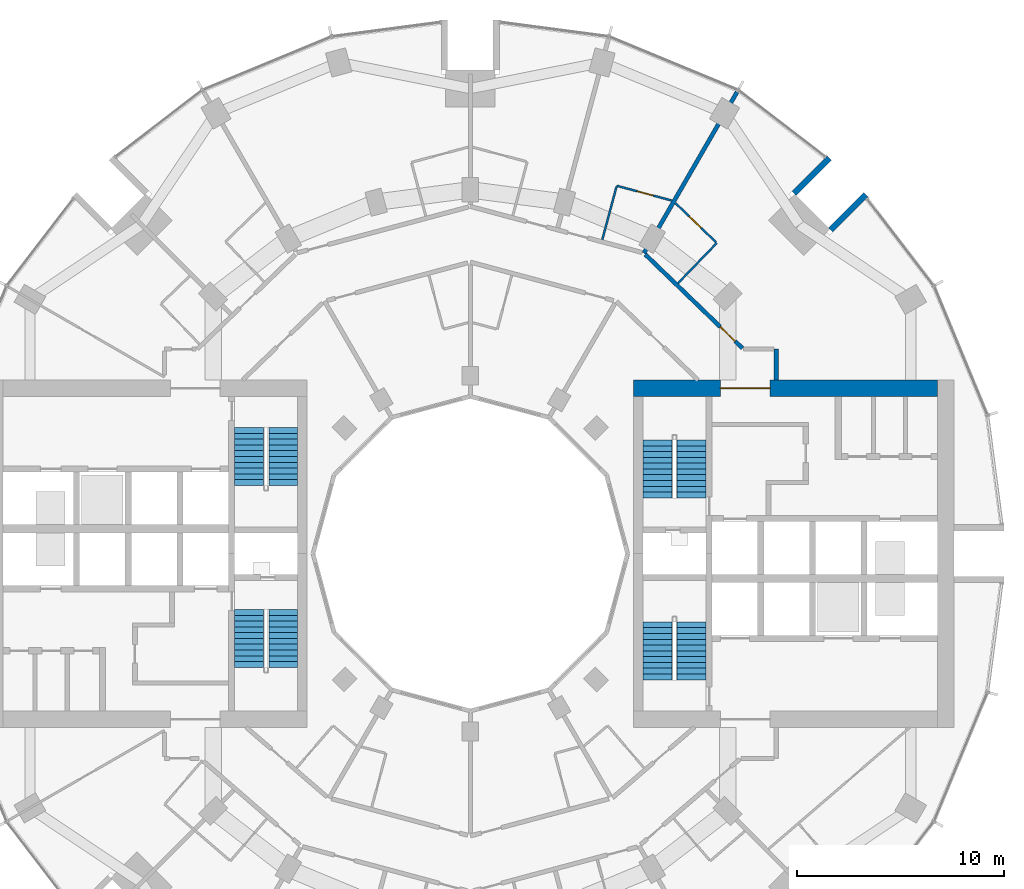
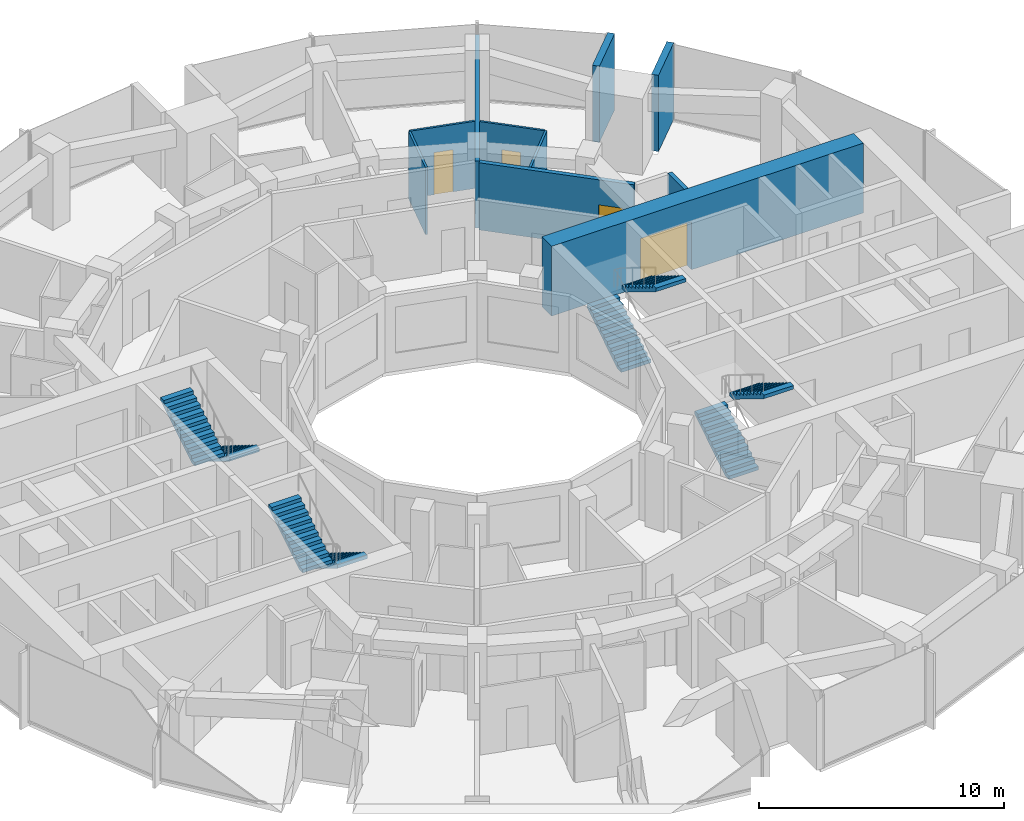
# One storey, part 13 of 15: 10 walls, 8 stair flights, 4 doors, 4 openings, 4 elements without a shape of their own.
"""IFC4 building model written with IfcOpenShell, lengths in metres."""

from ifc_helpers import new_model, si_unit, direction, frame, frame_2d, origin, place, context, subcontext, project, spatial, polyline, rectangle, outline, extrude, material, layer, layer_set, type_object, element, fill, aggregate, save


model = new_model("IFC4")

# Units and contexts
model_context = context("Model", 3, precision=1e-05, world=origin(), true_north=direction((0.0, 1.0)))
body_context = subcontext(model_context, "Body", "Model", "MODEL_VIEW")
ifc_project = project(units=[si_unit("LENGTHUNIT", "METRE"), si_unit("AREAUNIT", "SQUARE_METRE"), si_unit("VOLUMEUNIT", "CUBIC_METRE"), si_unit("PLANEANGLEUNIT", "RADIAN"), si_unit("MASSUNIT", "GRAM", prefix="KILO")], contexts=[model_context])

# Site, building, storey
site_placement = place(None, origin())
site = spatial("IfcSite", under=ifc_project, at=site_placement, CompositionType="ELEMENT")
building_placement = place(site_placement, origin())
building = spatial("IfcBuilding", under=site, at=building_placement, Name="Torre Brocal", CompositionType="ELEMENT")
storey_placement = place(building_placement, frame((0.0, 0.0, 55.39990234375)))
storey = spatial("IfcBuildingStorey", under=building, at=storey_placement, Name="L12", CompositionType="ELEMENT", Elevation=55.39990234375)

# Wall, opening, door
ifc_material_1 = material(Name="Concrete C80", Category="concrete")
ifc_layer_1 = layer(ifc_material_1, 0.800048828125)
ifc_layer_set_1 = layer_set([ifc_layer_1], Name="Concrete C80")
wall_type_1 = type_object("IfcWallType", Name="CORE WALL 800 C80", PredefinedType="SHEAR", material=ifc_layer_set_1)
wall_1_placement = place(storey_placement, frame((87.89990234375, 83.0, 0.0), z_axis=(0.0, 0.0, 1.0), x_axis=(1.0, 0.0, 0.0)))
wall_1 = element("IfcWall", 1, at=wall_1_placement, inside=storey, type_object=wall_type_1, Name="Wall CW800-80", PredefinedType="SHEAR", context=body_context, shape_type="SweptSolid", body=[
    extrude(rectangle(XDim=14.7001953125, YDim=0.800048828125, at=frame_2d((7.35009765625, 0.0))), origin(), (0.0, 0.0, 1.0), 3.47998046875),
])
opening_1_placement = place(wall_1_placement, frame((4.199951171875, 0.0, 0.0)))
opening_1 = element("IfcOpeningElement", 2, at=opening_1_placement, cuts=wall_1, Name="Opening E-D27", PredefinedType="OPENING", context=body_context, shape_type="SweptSolid", body=[
    extrude(rectangle(XDim=2.39990234375, YDim=2.39990234375, at=frame_2d((1.199951171875, 1.199951171875))), frame((0.0, 0.409912109375, 0.0), z_axis=(0.0, -1.0, 0.0), x_axis=(1.0, 0.0, 0.0)), (0.0, 0.0, 1.0), 0.820068359375),
])
ifc_material_2 = material(Name="Steel A653", Category="steel")
door_type_1 = type_object("IfcDoorType", Name="DOUBLE FIRE DOOR FD90 2400X2400", OperationType="DOUBLE_DOOR_SINGLE_SWING", PredefinedType="DOOR", material=ifc_material_2)
door_1_placement = place(opening_1_placement, frame((2.39990234375, 0.0, 0.0), z_axis=(0.0, 0.0, 1.0), x_axis=(-1.0, 0.0, 0.0)))
door_1 = element("IfcDoor", 3, at=door_1_placement, inside=storey, type_object=door_type_1, Name="Door E-D27", OperationType="DOUBLE_DOOR_SINGLE_SWING", OverallHeight=2.39990234375, OverallWidth=2.39990234375, PredefinedType="DOOR", context=body_context, shape_type="SweptSolid", body=[
    extrude(rectangle(XDim=2.39990234375, YDim=2.39990234375, at=frame_2d((1.199951171875, 1.199951171875))), frame((0.0, 0.02490234375, 0.0), z_axis=(0.0, -1.0, 0.0), x_axis=(1.0, 0.0, 0.0)), (0.0, 0.0, 1.0), 0.050048828125),
])
fill(opening_1, door_1)

# Walls
ifc_material_3 = material(Name="Concrete C80", Category="concrete")
ifc_layer_2 = layer(ifc_material_3, 0.300048828125)
ifc_layer_set_2 = layer_set([ifc_layer_2], Name="Concrete C80")
wall_type_2 = type_object("IfcWallType", Name="NOTCH RETURN WALL 300 C80", PredefinedType="NOTDEFINED", material=ifc_layer_set_2)
for number, where, z_axis, x_axis, name in (
    (4, (97.43017578125, 90.662353515625, 0.0), (0.0, 0.0, 1.0), (0.707106781187, 0.707106781187, 0.0), "NOTCH RETURN WALL"),
    (5, (95.662353515625, 92.43017578125, 0.0), (0.0, 0.0, 1.0), (0.707106781187, 0.707106781187, 0.0), "NOTCH RETURN WALL"),
):
    element("IfcWall", number, at=place(storey_placement, frame(where, z_axis=z_axis, x_axis=x_axis)), inside=storey, type_object=wall_type_2, Name=name, PredefinedType="NOTDEFINED", context=body_context, shape_type="SweptSolid", body=[
        extrude(rectangle(XDim=2.415771484375, YDim=0.300048828125, at=frame_2d((1.2080078125, 0.0))), origin(), (0.0, 0.0, 1.0), 3.800048828125),
    ])
ifc_material_4 = material(Name="Gypsum board", Category="Gypsum")
ifc_layer_3 = layer(ifc_material_4, 0.10009765625)
ifc_layer_set_3 = layer_set([ifc_layer_3], Name="Gypsum board")
wall_type_3 = type_object("IfcWallType", Name="PARTITION 100", PredefinedType="PARTITIONING", material=ifc_layer_set_3)
wall_2_placement = place(storey_placement, frame((86.3837890625, 90.189697265625, 0.0), z_axis=(0.0, 0.0, 1.0), x_axis=(0.258677737588, 0.965963678446, 0.0)))
element("IfcWall", 6, at=wall_2_placement, inside=storey, type_object=wall_type_3, Name="BATHROOM WALL", PredefinedType="PARTITIONING", context=body_context, shape_type="SweptSolid", body=[
    extrude(rectangle(XDim=2.649169921875, YDim=0.10009765625, at=frame_2d((1.32470703125, 0.0))), origin(), (0.0, 0.0, 1.0), 3.35009765625),
])

# Wall, opening, door
wall_3_placement = place(storey_placement, frame((87.081787109375, 92.796875, 0.0), z_axis=(0.0, 0.0, 1.0), x_axis=(0.965892621415, -0.258942935598, 0.0)))
wall_3 = element("IfcWall", 7, at=wall_3_placement, inside=storey, type_object=wall_type_3, Name="BATHROOM WALL", PredefinedType="PARTITIONING", context=body_context, shape_type="SweptSolid", body=[
    extrude(rectangle(XDim=2.753173828125, YDim=0.10009765625, at=frame_2d((1.37646484375, 0.0))), origin(), (0.0, 0.0, 1.0), 3.35009765625),
])
opening_2_placement = place(wall_3_placement, frame((1.03173828125, 0.0, 0.0)))
opening_2 = element("IfcOpeningElement", 8, at=opening_2_placement, cuts=wall_3, Name="Opening H03-D04", PredefinedType="OPENING", context=body_context, shape_type="SweptSolid", body=[
    extrude(rectangle(XDim=0.800048828125, YDim=2.10009765625, at=frame_2d((0.39990234375, 1.050048828125))), frame((0.0, 0.06005859375, 0.0), z_axis=(0.0, -1.0, 0.0), x_axis=(1.0, 0.0, 0.0)), (0.0, 0.0, 1.0), 0.1201171875),
])
ifc_material_5 = material(Name="Timber", Category="wood")
door_type_2 = type_object("IfcDoorType", Name="BATHROOM DOOR 800X2100", OperationType="SINGLE_SWING_LEFT", PredefinedType="DOOR", material=ifc_material_5)
door_2_placement = place(opening_2_placement, frame((0.800048828125, 0.0, 0.0), z_axis=(0.0, 0.0, 1.0), x_axis=(-1.0, 0.0, 0.0)))
door_2 = element("IfcDoor", 9, at=door_2_placement, inside=storey, type_object=door_type_2, Name="H03-D04", OperationType="SINGLE_SWING_LEFT", OverallHeight=2.10009765625, OverallWidth=0.800048828125, PredefinedType="DOOR", context=body_context, shape_type="SweptSolid", body=[
    extrude(rectangle(XDim=0.800048828125, YDim=2.10009765625, at=frame_2d((0.39990234375, 1.050048828125))), frame((0.0, 0.02490234375, 0.0), z_axis=(0.0, -1.0, 0.0), x_axis=(1.0, 0.0, 0.0)), (0.0, 0.0, 1.0), 0.050048828125),
])
fill(opening_2, door_2)

wall_4_placement = place(storey_placement, frame((89.9248046875, 91.956298828125, 0.0), z_axis=(0.0, 0.0, 1.0), x_axis=(0.719395291255, -0.694600903339, 0.0)))
wall_4 = element("IfcWall", 10, at=wall_4_placement, inside=storey, type_object=wall_type_3, Name="BATHROOM WALL", PredefinedType="PARTITIONING", context=body_context, shape_type="SweptSolid", body=[
    extrude(rectangle(XDim=2.7275390625, YDim=0.10009765625, at=frame_2d((1.36376953125, 0.0))), origin(), (0.0, 0.0, 1.0), 3.35009765625),
])
opening_3_placement = place(wall_4_placement, frame((0.928466796875, 0.0, 0.0)))
opening_3 = element("IfcOpeningElement", 11, at=opening_3_placement, cuts=wall_4, Name="Opening H03-D02", PredefinedType="OPENING", context=body_context, shape_type="SweptSolid", body=[
    extrude(rectangle(XDim=0.800048828125, YDim=2.10009765625, at=frame_2d((0.39990234375, 1.050048828125))), frame((0.0, 0.06005859375, 0.0), z_axis=(0.0, -1.0, 0.0), x_axis=(1.0, 0.0, 0.0)), (0.0, 0.0, 1.0), 0.1201171875),
])
door_3_placement = place(opening_3_placement, frame((0.800048828125, 0.0, 0.0), z_axis=(0.0, 0.0, 1.0), x_axis=(-1.0, 0.0, 0.0)))
door_3 = element("IfcDoor", 12, at=door_3_placement, inside=storey, type_object=door_type_2, Name="H03-D02", OperationType="SINGLE_SWING_RIGHT", OverallHeight=2.10009765625, OverallWidth=0.800048828125, PredefinedType="DOOR", context=body_context, shape_type="SweptSolid", body=[
    extrude(rectangle(XDim=0.800048828125, YDim=2.10009765625, at=frame_2d((0.39990234375, 1.050048828125))), frame((0.0, 0.02490234375, 0.0), z_axis=(0.0, -1.0, 0.0), x_axis=(1.0, 0.0, 0.0)), (0.0, 0.0, 1.0), 0.050048828125),
])
fill(opening_3, door_3)

# Wall
wall_5_placement = place(storey_placement, frame((90.047607421875, 88.0849609375, 0.0), z_axis=(0.0, 0.0, 1.0), x_axis=(0.694655834207, 0.71934224956, 0.0)))
element("IfcWall", 13, at=wall_5_placement, inside=storey, type_object=wall_type_3, Name="BATHROOM WALL", PredefinedType="PARTITIONING", context=body_context, shape_type="SweptSolid", body=[
    extrude(rectangle(XDim=2.699951171875, YDim=0.10009765625, at=frame_2d((1.35009765625, 0.0))), origin(), (0.0, 0.0, 1.0), 3.35009765625),
])

# Wall, opening, door
ifc_material_6 = material(Name="Gypsum board", Category="Gypsum")
ifc_layer_4 = layer(ifc_material_6, 0.199951171875)
ifc_layer_set_4 = layer_set([ifc_layer_4], Name="Gypsum board")
wall_type_4 = type_object("IfcWallType", Name="PARTITION 200 EI60", PredefinedType="PARTITIONING", material=ifc_layer_set_4)
wall_6_placement = place(storey_placement, frame((88.4658203125, 89.47314453125, 0.0), z_axis=(0.0, 0.0, 1.0), x_axis=(0.719346014649, -0.694651935295, 0.0)))
wall_6 = element("IfcWall", 14, at=wall_6_placement, inside=storey, type_object=wall_type_4, Name="GUESTROOM CORRIDOR WALL", PredefinedType="PARTITIONING", context=body_context, shape_type="SweptSolid", body=[
    extrude(rectangle(XDim=6.525146484375, YDim=0.199951171875, at=frame_2d((3.2626953125, 0.0))), origin(), (0.0, 0.0, 1.0), 3.35009765625),
])
opening_4_placement = place(wall_6_placement, frame((5.034423828125, 0.0, 0.0)))
opening_4 = element("IfcOpeningElement", 15, at=opening_4_placement, cuts=wall_6, Name="Opening H03-D01", PredefinedType="OPENING", context=body_context, shape_type="SweptSolid", body=[
    extrude(rectangle(XDim=1.0, YDim=2.10009765625, at=frame_2d((0.5, 1.050048828125))), frame((0.0, 0.10986328125, 0.0), z_axis=(0.0, -1.0, 0.0), x_axis=(1.0, 0.0, 0.0)), (0.0, 0.0, 1.0), 0.219970703125),
])
ifc_material_7 = material(Name="Timber", Category="wood")
door_type_3 = type_object("IfcDoorType", Name="FLAT ENTRY DOOR FD30S 1000X2100", OperationType="SINGLE_SWING_RIGHT", PredefinedType="DOOR", material=ifc_material_7)
door_4_placement = place(opening_4_placement, origin())
door_4 = element("IfcDoor", 16, at=door_4_placement, inside=storey, type_object=door_type_3, Name="H03-D01", OperationType="SINGLE_SWING_RIGHT", OverallHeight=2.10009765625, OverallWidth=1.0, PredefinedType="DOOR", context=body_context, shape_type="SweptSolid", body=[
    extrude(rectangle(XDim=1.0, YDim=2.10009765625, at=frame_2d((0.5, 1.050048828125))), frame((0.0, 0.02490234375, 0.0), z_axis=(0.0, -1.0, 0.0), x_axis=(1.0, 0.0, 0.0)), (0.0, 0.0, 1.0), 0.050048828125),
])
fill(opening_4, door_4)

# Walls
wall_7_placement = place(storey_placement, frame((88.3994140625, 89.538330078125, 0.0), z_axis=(0.0, 0.0, 1.0), x_axis=(0.500249596464, 0.865881251233, 0.0)))
element("IfcWall", 17, at=wall_7_placement, inside=storey, type_object=wall_type_4, Name="BATHROOM WALL", PredefinedType="PARTITIONING", context=body_context, shape_type="SweptSolid", body=[
    extrude(rectangle(XDim=9.00634765625, YDim=0.199951171875, at=frame_2d((4.503173828125, 0.0))), origin(), (0.0, 0.0, 1.0), 3.35009765625),
])
wall_8_placement = place(storey_placement, frame((94.800048828125, 83.40087890625, 0.0), z_axis=(0.0, 0.0, 1.0), x_axis=(0.0, 1.0, 0.0)))
element("IfcWall", 18, at=wall_8_placement, inside=storey, type_object=wall_type_4, Name="GUESTROOM CORRIDOR WALL", PredefinedType="PARTITIONING", context=body_context, shape_type="SweptSolid", body=[
    extrude(rectangle(XDim=1.4990234375, YDim=0.199951171875, at=frame_2d((0.74951171875, 0.0))), origin(), (0.0, 0.0, 1.0), 3.35009765625),
])

# Stair, stair flights
ifc_material_8 = material(Name="Concrete C50", Category="concrete")
stair_type = type_object("IfcStairType", Name="EXIT STAIR", PredefinedType="HALF_TURN_STAIR", material=ifc_material_8)
stair_1_placement = place(storey_placement, origin())
stair_1 = element("IfcStair", 19, at=stair_1_placement, inside=storey, type_object=stair_type, Name="EXIT STAIR ST1", PredefinedType="HALF_TURN_STAIR")
ifc_material_9 = material(Name="Concrete C50", Category="concrete")
ifc_layer_5 = layer(ifc_material_9, 0.14990234375)
ifc_layer_set_5 = layer_set([ifc_layer_5], Name="Concrete C50")
stair_flight_type = type_object("IfcStairFlightType", Name="STAIR FLIGHT", PredefinedType="STRAIGHT", material=ifc_layer_set_5)
stair_flight_1_placement = place(storey_placement, frame((89.050048828125, 77.699951171875, 0.0), z_axis=(0.0, 0.0, 1.0), x_axis=(0.0, 1.0, 0.0)))
stair_flight_1 = element("IfcStairFlight", 20, at=stair_flight_1_placement, type_object=stair_flight_type, Name="ST1 flight 1", NumberOfRisers=11, NumberOfTreads=10, PredefinedType="STRAIGHT", RiserHeight=0.172727273, TreadLength=0.28, context=body_context, shape_type="SweptSolid", body=[
    extrude(outline(polyline([(0.0, 0.0), (0.0, 0.172607421875), (0.280029296875, 0.172607421875), (0.280029296875, 0.345458984375), (0.56005859375, 0.345458984375), (0.56005859375, 0.51806640625), (0.840087890625, 0.51806640625), (0.840087890625, 0.69091796875), (1.1201171875, 0.69091796875), (1.1201171875, 0.863525390625), (1.39990234375, 0.863525390625), (1.39990234375, 1.036376953125), (1.679931640625, 1.036376953125), (1.679931640625, 1.208984375), (1.9599609375, 1.208984375), (1.9599609375, 1.3818359375), (2.239990234375, 1.3818359375), (2.239990234375, 1.554443359375), (2.52001953125, 1.554443359375), (2.52001953125, 1.727294921875), (2.800048828125, 1.727294921875), (2.800048828125, 1.89990234375), (2.800048828125, 1.551025390625), (0.285400390625, 0.0), (0.0, 0.0)])), frame((0.0, 0.699951171875, 0.0), z_axis=(0.0, -1.0, 0.0), x_axis=(1.0, 0.0, 0.0)), (0.0, 0.0, 1.0), 1.39990234375),
])
stair_flight_2_placement = place(storey_placement, frame((90.699951171875, 80.5, 1.900146484375), z_axis=(0.0, 0.0, 1.0), x_axis=(0.0, -1.0, 0.0)))
stair_flight_2 = element("IfcStairFlight", 21, at=stair_flight_2_placement, type_object=stair_flight_type, Name="ST1 flight 2", NumberOfRisers=11, NumberOfTreads=10, PredefinedType="STRAIGHT", RiserHeight=0.172727273, TreadLength=0.28, context=body_context, shape_type="SweptSolid", body=[
    extrude(outline(polyline([(0.0, 0.0), (0.0, 0.172607421875), (0.280029296875, 0.172607421875), (0.280029296875, 0.345458984375), (0.56005859375, 0.345458984375), (0.56005859375, 0.51806640625), (0.840087890625, 0.51806640625), (0.840087890625, 0.69091796875), (1.1201171875, 0.69091796875), (1.1201171875, 0.863525390625), (1.39990234375, 0.863525390625), (1.39990234375, 1.036376953125), (1.679931640625, 1.036376953125), (1.679931640625, 1.208984375), (1.9599609375, 1.208984375), (1.9599609375, 1.3818359375), (2.239990234375, 1.3818359375), (2.239990234375, 1.554443359375), (2.52001953125, 1.554443359375), (2.52001953125, 1.727294921875), (2.800048828125, 1.727294921875), (2.800048828125, 1.89990234375), (2.800048828125, 1.551025390625), (0.285400390625, 0.0), (0.0, 0.0)])), frame((0.0, 0.699951171875, 0.0), z_axis=(0.0, -1.0, 0.0), x_axis=(1.0, 0.0, 0.0)), (0.0, 0.0, 1.0), 1.39990234375),
])
aggregate(stair_1, [stair_flight_1, stair_flight_2])

stair_2_placement = place(storey_placement, origin())
stair_2 = element("IfcStair", 22, at=stair_2_placement, inside=storey, type_object=stair_type, Name="EXIT STAIR ST2", PredefinedType="HALF_TURN_STAIR")
stair_flight_3_placement = place(storey_placement, frame((89.050048828125, 68.89990234375, 0.0), z_axis=(0.0, 0.0, 1.0), x_axis=(0.0, 1.0, 0.0)))
stair_flight_3 = element("IfcStairFlight", 23, at=stair_flight_3_placement, type_object=stair_flight_type, Name="ST2 flight 1", NumberOfRisers=11, NumberOfTreads=10, PredefinedType="STRAIGHT", RiserHeight=0.172727273, TreadLength=0.28, context=body_context, shape_type="SweptSolid", body=[
    extrude(outline(polyline([(0.0, 0.0), (0.0, 0.172607421875), (0.280029296875, 0.172607421875), (0.280029296875, 0.345458984375), (0.56005859375, 0.345458984375), (0.56005859375, 0.51806640625), (0.840087890625, 0.51806640625), (0.840087890625, 0.69091796875), (1.1201171875, 0.69091796875), (1.1201171875, 0.863525390625), (1.39990234375, 0.863525390625), (1.39990234375, 1.036376953125), (1.679931640625, 1.036376953125), (1.679931640625, 1.208984375), (1.9599609375, 1.208984375), (1.9599609375, 1.3818359375), (2.239990234375, 1.3818359375), (2.239990234375, 1.554443359375), (2.52001953125, 1.554443359375), (2.52001953125, 1.727294921875), (2.800048828125, 1.727294921875), (2.800048828125, 1.89990234375), (2.800048828125, 1.551025390625), (0.285400390625, 0.0), (0.0, 0.0)])), frame((0.0, 0.699951171875, 0.0), z_axis=(0.0, -1.0, 0.0), x_axis=(1.0, 0.0, 0.0)), (0.0, 0.0, 1.0), 1.39990234375),
])
stair_flight_4_placement = place(storey_placement, frame((90.699951171875, 71.699951171875, 1.900146484375), z_axis=(0.0, 0.0, 1.0), x_axis=(0.0, -1.0, 0.0)))
stair_flight_4 = element("IfcStairFlight", 24, at=stair_flight_4_placement, type_object=stair_flight_type, Name="ST2 flight 2", NumberOfRisers=11, NumberOfTreads=10, PredefinedType="STRAIGHT", RiserHeight=0.172727273, TreadLength=0.28, context=body_context, shape_type="SweptSolid", body=[
    extrude(outline(polyline([(0.0, 0.0), (0.0, 0.172607421875), (0.280029296875, 0.172607421875), (0.280029296875, 0.345458984375), (0.56005859375, 0.345458984375), (0.56005859375, 0.51806640625), (0.840087890625, 0.51806640625), (0.840087890625, 0.69091796875), (1.1201171875, 0.69091796875), (1.1201171875, 0.863525390625), (1.39990234375, 0.863525390625), (1.39990234375, 1.036376953125), (1.679931640625, 1.036376953125), (1.679931640625, 1.208984375), (1.9599609375, 1.208984375), (1.9599609375, 1.3818359375), (2.239990234375, 1.3818359375), (2.239990234375, 1.554443359375), (2.52001953125, 1.554443359375), (2.52001953125, 1.727294921875), (2.800048828125, 1.727294921875), (2.800048828125, 1.89990234375), (2.800048828125, 1.551025390625), (0.285400390625, 0.0), (0.0, 0.0)])), frame((0.0, 0.699951171875, 0.0), z_axis=(0.0, -1.0, 0.0), x_axis=(1.0, 0.0, 0.0)), (0.0, 0.0, 1.0), 1.39990234375),
])
aggregate(stair_2, [stair_flight_3, stair_flight_4])

stair_3_placement = place(storey_placement, origin())
stair_3 = element("IfcStair", 25, at=stair_3_placement, inside=storey, type_object=stair_type, Name="EXIT STAIR ST3", PredefinedType="HALF_TURN_STAIR")
stair_flight_5_placement = place(storey_placement, frame((70.949951171875, 72.300048828125, 0.0), z_axis=(0.0, 0.0, 1.0), x_axis=(0.0, -1.0, 0.0)))
stair_flight_5 = element("IfcStairFlight", 26, at=stair_flight_5_placement, type_object=stair_flight_type, Name="ST3 flight 1", NumberOfRisers=11, NumberOfTreads=10, PredefinedType="STRAIGHT", RiserHeight=0.172727273, TreadLength=0.28, context=body_context, shape_type="SweptSolid", body=[
    extrude(outline(polyline([(0.0, 0.0), (0.0, 0.172607421875), (0.280029296875, 0.172607421875), (0.280029296875, 0.345458984375), (0.56005859375, 0.345458984375), (0.56005859375, 0.51806640625), (0.840087890625, 0.51806640625), (0.840087890625, 0.69091796875), (1.1201171875, 0.69091796875), (1.1201171875, 0.863525390625), (1.39990234375, 0.863525390625), (1.39990234375, 1.036376953125), (1.679931640625, 1.036376953125), (1.679931640625, 1.208984375), (1.9599609375, 1.208984375), (1.9599609375, 1.3818359375), (2.239990234375, 1.3818359375), (2.239990234375, 1.554443359375), (2.52001953125, 1.554443359375), (2.52001953125, 1.727294921875), (2.800048828125, 1.727294921875), (2.800048828125, 1.89990234375), (2.800048828125, 1.551025390625), (0.285400390625, 0.0), (0.0, 0.0)])), frame((0.0, 0.699951171875, 0.0), z_axis=(0.0, -1.0, 0.0), x_axis=(1.0, 0.0, 0.0)), (0.0, 0.0, 1.0), 1.39990234375),
])
stair_flight_6_placement = place(storey_placement, frame((69.300048828125, 69.5, 1.900146484375), z_axis=(0.0, 0.0, 1.0), x_axis=(0.0, 1.0, 0.0)))
stair_flight_6 = element("IfcStairFlight", 27, at=stair_flight_6_placement, type_object=stair_flight_type, Name="ST3 flight 2", NumberOfRisers=11, NumberOfTreads=10, PredefinedType="STRAIGHT", RiserHeight=0.172727273, TreadLength=0.28, context=body_context, shape_type="SweptSolid", body=[
    extrude(outline(polyline([(0.0, 0.0), (0.0, 0.172607421875), (0.280029296875, 0.172607421875), (0.280029296875, 0.345458984375), (0.56005859375, 0.345458984375), (0.56005859375, 0.51806640625), (0.840087890625, 0.51806640625), (0.840087890625, 0.69091796875), (1.1201171875, 0.69091796875), (1.1201171875, 0.863525390625), (1.39990234375, 0.863525390625), (1.39990234375, 1.036376953125), (1.679931640625, 1.036376953125), (1.679931640625, 1.208984375), (1.9599609375, 1.208984375), (1.9599609375, 1.3818359375), (2.239990234375, 1.3818359375), (2.239990234375, 1.554443359375), (2.52001953125, 1.554443359375), (2.52001953125, 1.727294921875), (2.800048828125, 1.727294921875), (2.800048828125, 1.89990234375), (2.800048828125, 1.551025390625), (0.285400390625, 0.0), (0.0, 0.0)])), frame((0.0, 0.699951171875, 0.0), z_axis=(0.0, -1.0, 0.0), x_axis=(1.0, 0.0, 0.0)), (0.0, 0.0, 1.0), 1.39990234375),
])
aggregate(stair_3, [stair_flight_5, stair_flight_6])

stair_4_placement = place(storey_placement, origin())
stair_4 = element("IfcStair", 28, at=stair_4_placement, inside=storey, type_object=stair_type, Name="EXIT STAIR ST4", PredefinedType="HALF_TURN_STAIR")
stair_flight_7_placement = place(storey_placement, frame((70.949951171875, 81.10009765625, 0.0), z_axis=(0.0, 0.0, 1.0), x_axis=(0.0, -1.0, 0.0)))
stair_flight_7 = element("IfcStairFlight", 29, at=stair_flight_7_placement, type_object=stair_flight_type, Name="ST4 flight 1", NumberOfRisers=11, NumberOfTreads=10, PredefinedType="STRAIGHT", RiserHeight=0.172727273, TreadLength=0.28, context=body_context, shape_type="SweptSolid", body=[
    extrude(outline(polyline([(0.0, 0.0), (0.0, 0.172607421875), (0.280029296875, 0.172607421875), (0.280029296875, 0.345458984375), (0.56005859375, 0.345458984375), (0.56005859375, 0.51806640625), (0.840087890625, 0.51806640625), (0.840087890625, 0.69091796875), (1.1201171875, 0.69091796875), (1.1201171875, 0.863525390625), (1.39990234375, 0.863525390625), (1.39990234375, 1.036376953125), (1.679931640625, 1.036376953125), (1.679931640625, 1.208984375), (1.9599609375, 1.208984375), (1.9599609375, 1.3818359375), (2.239990234375, 1.3818359375), (2.239990234375, 1.554443359375), (2.52001953125, 1.554443359375), (2.52001953125, 1.727294921875), (2.800048828125, 1.727294921875), (2.800048828125, 1.89990234375), (2.800048828125, 1.551025390625), (0.285400390625, 0.0), (0.0, 0.0)])), frame((0.0, 0.699951171875, 0.0), z_axis=(0.0, -1.0, 0.0), x_axis=(1.0, 0.0, 0.0)), (0.0, 0.0, 1.0), 1.39990234375),
])
stair_flight_8_placement = place(storey_placement, frame((69.300048828125, 78.300048828125, 1.900146484375), z_axis=(0.0, 0.0, 1.0), x_axis=(0.0, 1.0, 0.0)))
stair_flight_8 = element("IfcStairFlight", 30, at=stair_flight_8_placement, type_object=stair_flight_type, Name="ST4 flight 2", NumberOfRisers=11, NumberOfTreads=10, PredefinedType="STRAIGHT", RiserHeight=0.172727273, TreadLength=0.28, context=body_context, shape_type="SweptSolid", body=[
    extrude(outline(polyline([(0.0, 0.0), (0.0, 0.172607421875), (0.280029296875, 0.172607421875), (0.280029296875, 0.345458984375), (0.56005859375, 0.345458984375), (0.56005859375, 0.51806640625), (0.840087890625, 0.51806640625), (0.840087890625, 0.69091796875), (1.1201171875, 0.69091796875), (1.1201171875, 0.863525390625), (1.39990234375, 0.863525390625), (1.39990234375, 1.036376953125), (1.679931640625, 1.036376953125), (1.679931640625, 1.208984375), (1.9599609375, 1.208984375), (1.9599609375, 1.3818359375), (2.239990234375, 1.3818359375), (2.239990234375, 1.554443359375), (2.52001953125, 1.554443359375), (2.52001953125, 1.727294921875), (2.800048828125, 1.727294921875), (2.800048828125, 1.89990234375), (2.800048828125, 1.551025390625), (0.285400390625, 0.0), (0.0, 0.0)])), frame((0.0, 0.699951171875, 0.0), z_axis=(0.0, -1.0, 0.0), x_axis=(1.0, 0.0, 0.0)), (0.0, 0.0, 1.0), 1.39990234375),
])
aggregate(stair_4, [stair_flight_7, stair_flight_8])

save(model, "model.ifc")
